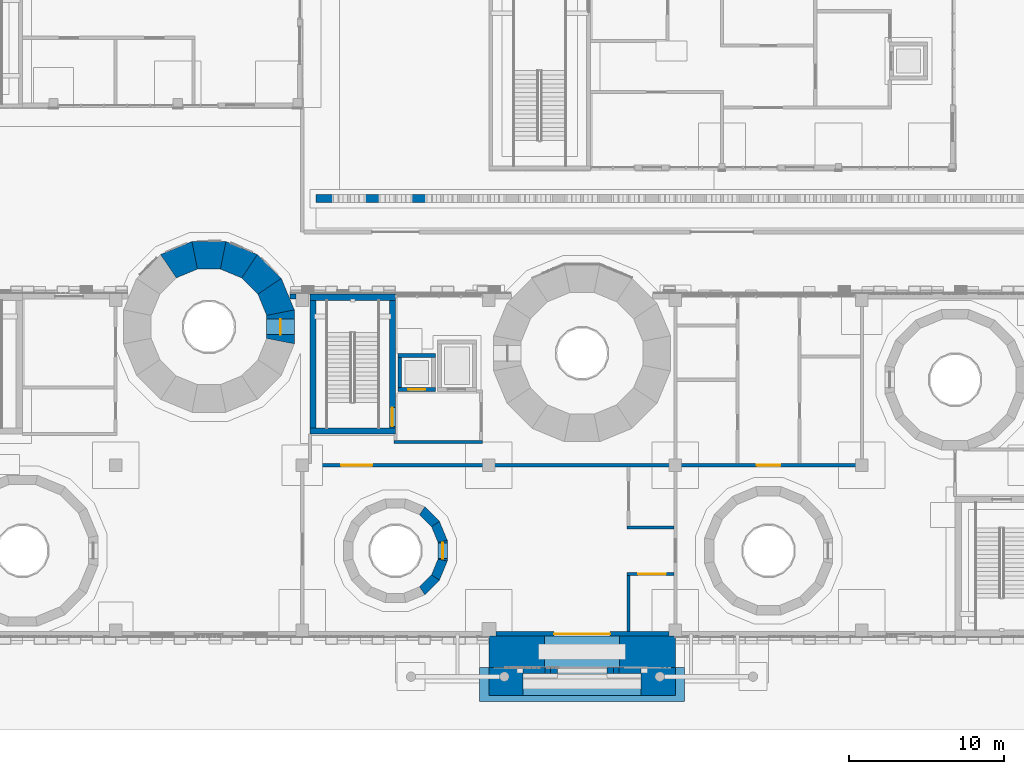
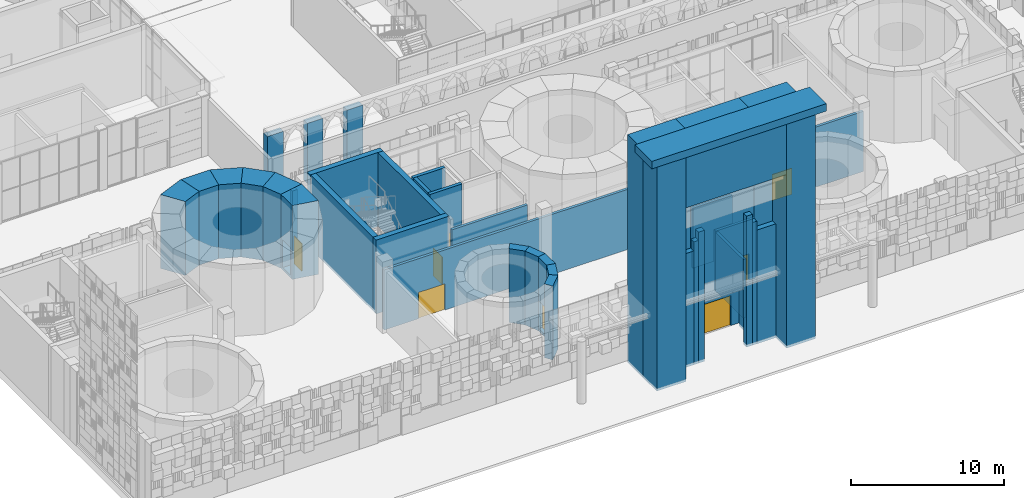
# One storey, part 48 of 125: 41 walls, 8 doors, 8 openings.
"""IFC4 building model written with IfcOpenShell, lengths in metres."""

from ifc_helpers import new_model, si_unit, direction, frame, frame_2d, origin, place, context, subcontext, project, spatial, polyline, rectangle, outline, extrude, material, layer, layer_set, type_object, element, fill, save


model = new_model("IFC4")

# Units and contexts
model_context = context("Model", 3, precision=1e-05, world=origin(), true_north=direction((0.0, 1.0)))
body_context = subcontext(model_context, "Body", "Model", "MODEL_VIEW")
ifc_project = project(units=[si_unit("LENGTHUNIT", "METRE"), si_unit("AREAUNIT", "SQUARE_METRE"), si_unit("VOLUMEUNIT", "CUBIC_METRE"), si_unit("PLANEANGLEUNIT", "RADIAN"), si_unit("MASSUNIT", "GRAM", prefix="KILO")], contexts=[model_context])

# Site, building, storey
site_placement = place(None, origin())
site = spatial("IfcSite", under=ifc_project, at=site_placement, CompositionType="ELEMENT")
building_placement = place(site_placement, origin())
building = spatial("IfcBuilding", under=site, at=building_placement, Name="Sun Court Science Centre", CompositionType="ELEMENT")
storey_placement = place(building_placement, origin())
storey = spatial("IfcBuildingStorey", under=building, at=storey_placement, Name="L00", CompositionType="ELEMENT", Elevation=0.0)

# Walls
ifc_material_1 = material(Name="Concrete C30/37", Category="concrete")
ifc_layer_1 = layer(ifc_material_1, 0.5)
ifc_layer_set_1 = layer_set([ifc_layer_1], Name="Concrete C30/37")
wall_type_1 = type_object("IfcWallType", Name="Arcade pier 500 reinforced", PredefinedType="SOLIDWALL", material=ifc_layer_set_1)
for number, where, z_axis, x_axis, name in (
    (1, (24.89990234375, 34.14990234375, 0.0), (0.0, 0.0, 1.0), (1.0, 0.0, 0.0), "Arcade pier AR1 01"),
    (2, (27.89990234375, 34.14990234375, 0.0), (0.0, 0.0, 1.0), (1.0, 0.0, 0.0), "Arcade pier AR1 02"),
    (3, (30.89990234375, 34.14990234375, 0.0), (0.0, 0.0, 1.0), (1.0, 0.0, 0.0), "Arcade pier AR1 03"),
):
    element("IfcWall", number, at=place(storey_placement, frame(where, z_axis=z_axis, x_axis=x_axis)), inside=storey, type_object=wall_type_1, Name=name, PredefinedType="SOLIDWALL", context=body_context, shape_type="SweptSolid", body=[
        extrude(rectangle(XDim=1.2001953125, YDim=0.5, at=frame_2d((0.60009765625, 0.0))), origin(), (0.0, 0.0, 1.0), 4.800048828125),
    ])

# Wall, opening, door
ifc_material_2 = material(Name="Clay masonry", Category="masonry")
ifc_layer_2 = layer(ifc_material_2, 0.300048828125)
ifc_layer_set_2 = layer_set([ifc_layer_2], Name="Clay masonry")
wall_type_2 = type_object("IfcWallType", Name="Clay masonry infill wall 300", PredefinedType="SOLIDWALL", material=ifc_layer_set_2)
wall_1_placement = place(storey_placement, frame((47.60009765625, 6.14990234375, 0.0), z_axis=(0.0, 0.0, 1.0), x_axis=(-1.0, 0.0, 0.0)))
wall_1 = element("IfcWall", 4, at=wall_1_placement, inside=storey, type_object=wall_type_2, Name="External infill wall L00 south face 03", PredefinedType="SOLIDWALL", context=body_context, shape_type="SweptSolid", body=[
    extrude(rectangle(XDim=11.150146484375, YDim=0.300048828125, at=frame_2d((5.5751953125, 0.0))), origin(), (0.0, 0.0, 1.0), 4.699951171875),
])
opening_1_placement = place(wall_1_placement, frame((3.800048828125, 0.0, 0.0)))
opening_1 = element("IfcOpeningElement", 5, at=opening_1_placement, cuts=wall_1, Name="Opening D-L00-027", PredefinedType="OPENING", context=body_context, shape_type="SweptSolid", body=[
    extrude(rectangle(XDim=3.60009765625, YDim=2.39990234375, at=frame_2d((1.800048828125, 1.199951171875))), frame((0.0, 0.159912109375, 0.0), z_axis=(0.0, -1.0, 0.0), x_axis=(1.0, 0.0, 0.0)), (0.0, 0.0, 1.0), 0.320068359375),
])
ifc_material_3 = material(Name="Aluminium and toughened glass", Category="aluminium")
door_type_1 = type_object("IfcDoorType", Name="Exterior door 3600 x 2400 double entrance", OperationType="DOUBLE_DOOR_SINGLE_SWING", PredefinedType="DOOR", material=ifc_material_3)
door_1_placement = place(opening_1_placement, origin())
door_1 = element("IfcDoor", 6, at=door_1_placement, inside=storey, type_object=door_type_1, Name="Exterior door D-L00-027 to the street forecourt", OperationType="SINGLE_SWING_LEFT", OverallHeight=2.39990234375, OverallWidth=3.60009765625, PredefinedType="DOOR", context=body_context, shape_type="SweptSolid", body=[
    extrude(rectangle(XDim=3.60009765625, YDim=2.39990234375, at=frame_2d((1.800048828125, 1.199951171875))), frame((0.0, 0.02490234375, 0.0), z_axis=(0.0, -1.0, 0.0), x_axis=(1.0, 0.0, 0.0)), (0.0, 0.0, 1.0), 0.050048828125),
])
fill(opening_1, door_1)

# Walls
wall_2_placement = place(storey_placement, frame((23.199462890625, 27.85009765625, 0.0), z_axis=(0.0, 0.0, 1.0), x_axis=(1.0, 0.0, 0.0)))
element("IfcWall", 7, at=wall_2_placement, inside=storey, type_object=wall_type_2, Name="External infill wall L00 north face 03", PredefinedType="SOLIDWALL", context=body_context, shape_type="SweptSolid", body=[
    extrude(rectangle(XDim=0.400634765625, YDim=0.300048828125, at=frame_2d((0.2001953125, 0.0))), origin(), (0.0, 0.0, 1.0), 4.800048828125),
])
ifc_material_4 = material(Name="Concrete C30/37", Category="concrete")
ifc_layer_3 = layer(ifc_material_4, 2.199951171875)
ifc_layer_set_3 = layer_set([ifc_layer_3], Name="Concrete C30/37")
wall_type_3 = type_object("IfcWallType", Name="Iwan cornice 2200", PredefinedType="SOLIDWALL", material=ifc_layer_set_3)
wall_3_placement = place(storey_placement, frame((35.39990234375, 2.89990234375, 18.0), z_axis=(0.0, 0.0, 1.0), x_axis=(1.0, 0.0, 0.0)))
element("IfcWall", 8, at=wall_3_placement, inside=storey, type_object=wall_type_3, Name="Iwan cornice", PredefinedType="SOLIDWALL", context=body_context, shape_type="SweptSolid", body=[
    extrude(rectangle(XDim=13.2001953125, YDim=2.199951171875, at=frame_2d((6.60009765625, 0.0))), origin(), (0.0, 0.0, 1.0), 0.60009765625),
])
ifc_material_5 = material(Name="Concrete C30/37", Category="concrete")
ifc_layer_4 = layer(ifc_material_5, 1.800048828125)
ifc_layer_set_4 = layer_set([ifc_layer_4], Name="Concrete C30/37")
wall_type_4 = type_object("IfcWallType", Name="Iwan header 1800", PredefinedType="SOLIDWALL", material=ifc_layer_set_4)
wall_4_placement = place(storey_placement, frame((38.199951171875, 3.10009765625, 13.66845703125), z_axis=(0.0, 0.0, 1.0), x_axis=(1.0, 0.0, 0.0)))
element("IfcWall", 9, at=wall_4_placement, inside=storey, type_object=wall_type_4, Name="Iwan header band", PredefinedType="SOLIDWALL", context=body_context, shape_type="SweptSolid", body=[
    extrude(rectangle(XDim=7.60009765625, YDim=1.800048828125, at=frame_2d((3.800048828125, 0.0))), origin(), (0.0, 0.0, 1.0), 4.33154296875),
])
ifc_material_6 = material(Name="Concrete C30/37", Category="concrete")
ifc_layer_5 = layer(ifc_material_6, 0.39990234375)
ifc_layer_set_5 = layer_set([ifc_layer_5], Name="Concrete C30/37")
wall_type_5 = type_object("IfcWallType", Name="Iwan jamb 400", PredefinedType="SOLIDWALL", material=ifc_layer_set_5)
wall_5_placement = place(storey_placement, frame((38.199951171875, 3.800048828125, -0.199951171875), z_axis=(0.0, 0.0, 1.0), x_axis=(1.0, 0.0, 0.0)))
element("IfcWall", 10, at=wall_5_placement, inside=storey, type_object=wall_type_5, Name="Iwan jamb west step 1", PredefinedType="SOLIDWALL", context=body_context, shape_type="SweptSolid", body=[
    extrude(rectangle(XDim=1.414306640625, YDim=0.39990234375, at=frame_2d((0.70703125, 0.0))), origin(), (0.0, 0.0, 1.0), 9.084228515625),
])
wall_6_placement = place(storey_placement, frame((39.6142578125, 3.800048828125, -0.199951171875), z_axis=(0.0, 0.0, 1.0), x_axis=(1.0, 0.0, 0.0)))
element("IfcWall", 11, at=wall_6_placement, inside=storey, type_object=wall_type_5, Name="Iwan jamb west step 2", PredefinedType="SOLIDWALL", context=body_context, shape_type="SweptSolid", body=[
    extrude(rectangle(XDim=0.35302734375, YDim=0.39990234375, at=frame_2d((0.176513671875, 0.0))), origin(), (0.0, 0.0, 1.0), 9.800048828125),
])
wall_7_placement = place(storey_placement, frame((39.96728515625, 3.800048828125, -0.199951171875), z_axis=(0.0, 0.0, 1.0), x_axis=(1.0, 0.0, 0.0)))
element("IfcWall", 12, at=wall_7_placement, inside=storey, type_object=wall_type_5, Name="Iwan jamb west step 3", PredefinedType="SOLIDWALL", context=body_context, shape_type="SweptSolid", body=[
    extrude(rectangle(XDim=0.443359375, YDim=0.39990234375, at=frame_2d((0.2216796875, 0.0))), origin(), (0.0, 0.0, 1.0), 10.46337890625),
])
wall_8_placement = place(storey_placement, frame((44.3857421875, 3.800048828125, -0.199951171875), z_axis=(0.0, 0.0, 1.0), x_axis=(1.0, 0.0, 0.0)))
element("IfcWall", 13, at=wall_8_placement, inside=storey, type_object=wall_type_5, Name="Iwan jamb east step 1", PredefinedType="SOLIDWALL", context=body_context, shape_type="SweptSolid", body=[
    extrude(rectangle(XDim=1.414306640625, YDim=0.39990234375, at=frame_2d((0.70703125, 0.0))), origin(), (0.0, 0.0, 1.0), 9.084228515625),
])
wall_9_placement = place(storey_placement, frame((44.03271484375, 3.800048828125, -0.199951171875), z_axis=(0.0, 0.0, 1.0), x_axis=(1.0, 0.0, 0.0)))
element("IfcWall", 14, at=wall_9_placement, inside=storey, type_object=wall_type_5, Name="Iwan jamb east step 2", PredefinedType="SOLIDWALL", context=body_context, shape_type="SweptSolid", body=[
    extrude(rectangle(XDim=0.35302734375, YDim=0.39990234375, at=frame_2d((0.176513671875, 0.0))), origin(), (0.0, 0.0, 1.0), 9.800048828125),
])
wall_10_placement = place(storey_placement, frame((43.58935546875, 3.800048828125, -0.199951171875), z_axis=(0.0, 0.0, 1.0), x_axis=(1.0, 0.0, 0.0)))
element("IfcWall", 15, at=wall_10_placement, inside=storey, type_object=wall_type_5, Name="Iwan jamb east step 3", PredefinedType="SOLIDWALL", context=body_context, shape_type="SweptSolid", body=[
    extrude(rectangle(XDim=0.443359375, YDim=0.39990234375, at=frame_2d((0.2216796875, 0.0))), origin(), (0.0, 0.0, 1.0), 10.46337890625),
])
ifc_material_7 = material(Name="Concrete C30/37", Category="concrete")
ifc_layer_6 = layer(ifc_material_7, 1.800048828125)
ifc_layer_set_6 = layer_set([ifc_layer_6], Name="Concrete C30/37")
wall_type_6 = type_object("IfcWallType", Name="Iwan pier 1800", PredefinedType="SOLIDWALL", material=ifc_layer_set_6)
for number, where, z_axis, x_axis, name in (
    (16, (36.0, 3.10009765625, -0.199951171875), (0.0, 0.0, 1.0), (1.0, 0.0, 0.0), "Iwan pier west"),
    (17, (45.800048828125, 3.10009765625, -0.199951171875), (0.0, 0.0, 1.0), (1.0, 0.0, 0.0), "Iwan pier east"),
):
    element("IfcWall", number, at=place(storey_placement, frame(where, z_axis=z_axis, x_axis=x_axis)), inside=storey, type_object=wall_type_6, Name=name, PredefinedType="SOLIDWALL", context=body_context, shape_type="SweptSolid", body=[
        extrude(rectangle(XDim=2.199951171875, YDim=1.800048828125, at=frame_2d((1.10009765625, 0.0))), origin(), (0.0, 0.0, 1.0), 18.199951171875),
    ])

# Wall, openings, doors
ifc_material_8 = material(Name="Concrete block", Category="concrete")
ifc_layer_7 = layer(ifc_material_8, 0.199951171875)
ifc_layer_set_7 = layer_set([ifc_layer_7], Name="Concrete block")
wall_type_7 = type_object("IfcWallType", Name="Partition 200 block EI60", PredefinedType="PARTITIONING", material=ifc_layer_set_7)
wall_11_placement = place(storey_placement, frame((23.89990234375, 17.0, 0.0), z_axis=(0.0, 0.0, 1.0), x_axis=(1.0, 0.0, 0.0)))
wall_11 = element("IfcWall", 18, at=wall_11_placement, inside=storey, type_object=wall_type_7, Name="L00 partition 003", PredefinedType="PARTITIONING", context=body_context, shape_type="SweptSolid", body=[
    extrude(rectangle(XDim=36.2001953125, YDim=0.199951171875, at=frame_2d((18.10009765625, 0.0))), origin(), (0.0, 0.0, 1.0), 4.800048828125),
])
opening_2_placement = place(wall_11_placement, frame((2.59912109375, 0.0, 0.0)))
opening_2 = element("IfcOpeningElement", 19, at=opening_2_placement, cuts=wall_11, Name="Opening D-L00-018", PredefinedType="OPENING", context=body_context, shape_type="SweptSolid", body=[
    extrude(rectangle(XDim=2.0, YDim=2.10009765625, at=frame_2d((1.0, 1.050048828125))), frame((0.0, 0.10986328125, 0.0), z_axis=(0.0, -1.0, 0.0), x_axis=(1.0, 0.0, 0.0)), (0.0, 0.0, 1.0), 0.219970703125),
])
opening_3_placement = place(wall_11_placement, frame((29.35009765625, 0.0, 0.0)))
opening_3 = element("IfcOpeningElement", 20, at=opening_3_placement, cuts=wall_11, Name="Opening D-L00-020", PredefinedType="OPENING", context=body_context, shape_type="SweptSolid", body=[
    extrude(rectangle(XDim=1.5, YDim=2.10009765625, at=frame_2d((0.75, 1.050048828125))), frame((0.0, 0.10986328125, 0.0), z_axis=(0.0, -1.0, 0.0), x_axis=(1.0, 0.0, 0.0)), (0.0, 0.0, 1.0), 0.219970703125),
])
ifc_material_9 = material(Name="Timber", Category="wood")
door_type_2 = type_object("IfcDoorType", Name="Door 1500x2100 double leaf", OperationType="DOUBLE_DOOR_SINGLE_SWING", PredefinedType="DOOR", material=ifc_material_9)
door_2_placement = place(opening_3_placement, origin())
door_2 = element("IfcDoor", 21, at=door_2_placement, inside=storey, type_object=door_type_2, Name="Door D-L00-020", OperationType="DOUBLE_DOOR_SINGLE_SWING", OverallHeight=2.10009765625, OverallWidth=1.5, PredefinedType="DOOR", context=body_context, shape_type="SweptSolid", body=[
    extrude(rectangle(XDim=1.5, YDim=2.10009765625, at=frame_2d((0.75, 1.050048828125))), frame((0.0, 0.02490234375, 0.0), z_axis=(0.0, -1.0, 0.0), x_axis=(1.0, 0.0, 0.0)), (0.0, 0.0, 1.0), 0.050048828125),
])
fill(opening_3, door_2)
ifc_material_10 = material(Name="Timber", Category="wood")
door_type_3 = type_object("IfcDoorType", Name="Door 2000x2100 double leaf", OperationType="DOUBLE_DOOR_SINGLE_SWING", PredefinedType="DOOR", material=ifc_material_10)
door_3_placement = place(opening_2_placement, origin())
door_3 = element("IfcDoor", 22, at=door_3_placement, inside=storey, type_object=door_type_3, Name="Door D-L00-018", OperationType="DOUBLE_DOOR_SINGLE_SWING", OverallHeight=2.10009765625, OverallWidth=2.0, PredefinedType="DOOR", context=body_context, shape_type="SweptSolid", body=[
    extrude(rectangle(XDim=2.0, YDim=2.10009765625, at=frame_2d((1.0, 1.050048828125))), frame((0.0, 0.02490234375, 0.0), z_axis=(0.0, -1.0, 0.0), x_axis=(1.0, 0.0, 0.0)), (0.0, 0.0, 1.0), 0.050048828125),
])
fill(opening_2, door_3)

# Wall
wall_12_placement = place(storey_placement, frame((29.89990234375, 18.5, 0.0), z_axis=(0.0, 0.0, 1.0), x_axis=(1.0, 0.0, 0.0)))
element("IfcWall", 23, at=wall_12_placement, inside=storey, type_object=wall_type_7, Name="L00 partition 005", PredefinedType="PARTITIONING", context=body_context, shape_type="SweptSolid", body=[
    extrude(rectangle(XDim=5.7001953125, YDim=0.199951171875, at=frame_2d((2.85009765625, 0.0))), origin(), (0.0, 0.0, 1.0), 5.0),
])

# Wall, opening, door
ifc_material_11 = material(Name="Gypsum board")
ifc_layer_8 = layer(ifc_material_11, 0.199951171875)
ifc_layer_set_8 = layer_set([ifc_layer_8], Name="Gypsum board")
wall_type_8 = type_object("IfcWallType", Name="Partition 200 stud EI30", PredefinedType="PARTITIONING", material=ifc_layer_set_8)
wall_13_placement = place(storey_placement, frame((44.89990234375, 10.0, 0.0), z_axis=(0.0, 0.0, 1.0), x_axis=(1.0, 0.0, 0.0)))
wall_13 = element("IfcWall", 24, at=wall_13_placement, inside=storey, type_object=wall_type_8, Name="L00 partition 001", PredefinedType="PARTITIONING", context=body_context, shape_type="SweptSolid", body=[
    extrude(rectangle(XDim=3.0, YDim=0.199951171875, at=frame_2d((1.5, 0.0))), origin(), (0.0, 0.0, 1.0), 4.800048828125),
])
opening_4_placement = place(wall_13_placement, frame((0.699951171875, 0.0, 0.0)))
opening_4 = element("IfcOpeningElement", 25, at=opening_4_placement, cuts=wall_13, Name="Opening D-L00-016", PredefinedType="OPENING", context=body_context, shape_type="SweptSolid", body=[
    extrude(rectangle(XDim=1.800048828125, YDim=2.10009765625, at=frame_2d((0.89990234375, 1.050048828125))), frame((0.0, 0.10986328125, 0.0), z_axis=(0.0, -1.0, 0.0), x_axis=(1.0, 0.0, 0.0)), (0.0, 0.0, 1.0), 0.219970703125),
])
ifc_material_12 = material(Name="Timber", Category="wood")
door_type_4 = type_object("IfcDoorType", Name="Door 1800x2100 double leaf", OperationType="DOUBLE_DOOR_SINGLE_SWING", PredefinedType="DOOR", material=ifc_material_12)
door_4_placement = place(opening_4_placement, origin())
door_4 = element("IfcDoor", 26, at=door_4_placement, inside=storey, type_object=door_type_4, Name="Door D-L00-016", OperationType="DOUBLE_DOOR_SINGLE_SWING", OverallHeight=2.10009765625, OverallWidth=1.800048828125, PredefinedType="DOOR", context=body_context, shape_type="SweptSolid", body=[
    extrude(rectangle(XDim=1.800048828125, YDim=2.10009765625, at=frame_2d((0.89990234375, 1.050048828125))), frame((0.0, 0.02490234375, 0.0), z_axis=(0.0, -1.0, 0.0), x_axis=(1.0, 0.0, 0.0)), (0.0, 0.0, 1.0), 0.050048828125),
])
fill(opening_4, door_4)

# Walls
wall_14_placement = place(storey_placement, frame((44.89990234375, 13.0, 0.0), z_axis=(0.0, 0.0, 1.0), x_axis=(1.0, 0.0, 0.0)))
element("IfcWall", 27, at=wall_14_placement, inside=storey, type_object=wall_type_8, Name="L00 partition 002", PredefinedType="PARTITIONING", context=body_context, shape_type="SweptSolid", body=[
    extrude(rectangle(XDim=3.0, YDim=0.199951171875, at=frame_2d((1.5, 0.0))), origin(), (0.0, 0.0, 1.0), 4.800048828125),
])
wall_15_placement = place(storey_placement, frame((45.0, 6.302001953125, 0.0), z_axis=(0.0, 0.0, 1.0), x_axis=(0.0, 1.0, 0.0)))
element("IfcWall", 28, at=wall_15_placement, inside=storey, type_object=wall_type_8, Name="L00 partition 017", PredefinedType="PARTITIONING", context=body_context, shape_type="SweptSolid", body=[
    extrude(rectangle(XDim=3.597900390625, YDim=0.199951171875, at=frame_2d((1.798828125, 0.0))), origin(), (0.0, 0.0, 1.0), 4.699951171875),
])
ifc_material_13 = material(Name="Concrete C30/37", Category="concrete")
ifc_layer_9 = layer(ifc_material_13, 1.777099609375)
ifc_layer_set_9 = layer_set([ifc_layer_9], Name="Concrete C30/37")
wall_type_9 = type_object("IfcWallType", Name="RC cone ring wall 1777", PredefinedType="SHEAR", material=ifc_layer_set_9)
wall_16_placement = place(storey_placement, frame((22.671630859375, 26.652587890625, -0.199951171875), z_axis=(0.0, 0.0, 1.0), x_axis=(-0.382710353709, 0.923868380866, 0.0)))
element("IfcWall", 29, at=wall_16_placement, inside=storey, type_object=wall_type_9, Name="Cone 2 ring wall L00 segment 1", PredefinedType="SHEAR", context=body_context, shape_type="SweptSolid", body=[
    extrude(outline(polyline([(-0.000244140625, -0.888427734375), (2.18505859375, -0.888427734375), (1.83154296875, 0.888427734375), (0.353271484375, 0.888427734375), (-0.000244140625, -0.888427734375)])), origin(), (0.0, 0.0, 1.0), 5.89990234375),
])
wall_17_placement = place(storey_placement, frame((22.028076171875, 28.383056640625, -0.199951171875), z_axis=(0.0, 0.0, 1.0), x_axis=(-0.707162645834, 0.707050912125, 0.0)))
element("IfcWall", 30, at=wall_17_placement, inside=storey, type_object=wall_type_9, Name="Cone 2 ring wall L00 segment 2", PredefinedType="SHEAR", context=body_context, shape_type="SweptSolid", body=[
    extrude(outline(polyline([(0.0, -0.888427734375), (2.18505859375, -0.888427734375), (1.831787109375, 0.888671875), (0.353515625, 0.888427734375), (0.0, -0.888427734375)])), origin(), (0.0, 0.0, 1.0), 5.89990234375),
])
wall_18_placement = place(storey_placement, frame((20.771240234375, 29.7353515625, -0.199951171875), z_axis=(0.0, 0.0, 1.0), x_axis=(-0.923884744615, 0.382670848991, 0.0)))
element("IfcWall", 31, at=wall_18_placement, inside=storey, type_object=wall_type_9, Name="Cone 2 ring wall L00 segment 3", PredefinedType="SHEAR", context=body_context, shape_type="SweptSolid", body=[
    extrude(outline(polyline([(0.0, -0.888427734375), (2.18505859375, -0.888427734375), (1.831787109375, 0.888427734375), (0.353759765625, 0.888427734375), (0.0, -0.888427734375)])), origin(), (0.0, 0.0, 1.0), 5.89990234375),
])
for number, where, z_axis, x_axis, name in (
    (32, (19.092529296875, 30.50390625, -0.199951171875), (0.0, 0.0, 1.0), (-1.0, 0.0, 0.0), "Cone 2 ring wall L00 segment 4"),
    (33, (17.24755859375, 30.571533203125, -0.199951171875), (0.0, 0.0, 1.0), (-0.923884744615, -0.382670848991, 0.0), "Cone 2 ring wall L00 segment 5"),
):
    element("IfcWall", number, at=place(storey_placement, frame(where, z_axis=z_axis, x_axis=x_axis)), inside=storey, type_object=wall_type_9, Name=name, PredefinedType="SHEAR", context=body_context, shape_type="SweptSolid", body=[
        extrude(outline(polyline([(0.0, -0.888427734375), (2.18505859375, -0.888427734375), (1.83154296875, 0.888427734375), (0.353515625, 0.888427734375), (0.0, -0.888427734375)])), origin(), (0.0, 0.0, 1.0), 5.89990234375),
    ])

# Wall, opening, door
wall_19_placement = place(storey_placement, frame((22.60400390625, 24.807373046875, -0.199951171875), z_axis=(0.0, 0.0, 1.0), x_axis=(0.0, 1.0, 0.0)))
wall_19 = element("IfcWall", 34, at=wall_19_placement, inside=storey, type_object=wall_type_9, Name="Cone 2 ring wall L00 segment 16", PredefinedType="SHEAR", context=body_context, shape_type="SweptSolid", body=[
    extrude(outline(polyline([(0.000244140625, -0.888427734375), (2.18505859375, -0.888427734375), (1.83154296875, 0.888427734375), (0.353515625, 0.888427734375), (0.000244140625, -0.888427734375)])), origin(), (0.0, 0.0, 1.0), 5.89990234375),
])
opening_5_placement = place(wall_19_placement, frame((0.592529296875, 0.0, 0.199951171875)))
opening_5 = element("IfcOpeningElement", 35, at=opening_5_placement, cuts=wall_19, Name="Opening D-L00-022", PredefinedType="OPENING", context=body_context, shape_type="SweptSolid", body=[
    extrude(rectangle(XDim=1.0, YDim=2.199951171875, at=frame_2d((0.5, 1.10009765625))), frame((0.0, 0.8984375, 0.0), z_axis=(0.0, -1.0, 0.0), x_axis=(1.0, 0.0, 0.0)), (0.0, 0.0, 1.0), 1.796875),
])
ifc_material_14 = material(Name="Timber", Category="wood")
door_type_5 = type_object("IfcDoorType", Name="Door 1000x2200 single leaf", OperationType="NOTDEFINED", PredefinedType="DOOR", material=ifc_material_14)
door_5_placement = place(opening_5_placement, origin())
door_5 = element("IfcDoor", 36, at=door_5_placement, inside=storey, type_object=door_type_5, Name="Door D-L00-022", OperationType="SINGLE_SWING_RIGHT", OverallHeight=2.199951171875, OverallWidth=1.0, PredefinedType="DOOR", context=body_context, shape_type="SweptSolid", body=[
    extrude(rectangle(XDim=1.0, YDim=2.199951171875, at=frame_2d((0.5, 1.10009765625))), frame((0.0, 0.02490234375, 0.0), z_axis=(0.0, -1.0, 0.0), x_axis=(1.0, 0.0, 0.0)), (0.0, 0.0, 1.0), 0.050048828125),
])
fill(opening_5, door_5)

# Walls
ifc_material_15 = material(Name="Concrete C30/37", Category="concrete")
ifc_layer_10 = layer(ifc_material_15, 0.60009765625)
ifc_layer_set_10 = layer_set([ifc_layer_10], Name="Concrete C30/37")
wall_type_10 = type_object("IfcWallType", Name="RC cone ring wall 600", PredefinedType="SHEAR", material=ifc_layer_set_10)
wall_20_placement = place(storey_placement, frame((33.0576171875, 12.048583984375, -0.199951171875), z_axis=(0.0, 0.0, 1.0), x_axis=(-0.382785205205, 0.923837370253, 0.0)))
element("IfcWall", 37, at=wall_20_placement, inside=storey, type_object=wall_type_10, Name="Cone 3 ring wall L00 segment 1", PredefinedType="SHEAR", context=body_context, shape_type="SweptSolid", body=[
    extrude(outline(polyline([(0.0, -0.2998046875), (1.32666015625, -0.2998046875), (1.207275390625, 0.300048828125), (0.119384765625, 0.30029296875), (0.0, -0.2998046875)])), origin(), (0.0, 0.0, 1.0), 5.89990234375),
])
for number, where, z_axis, x_axis, name in (
    (38, (32.61474609375, 13.1767578125, -0.199951171875), (0.0, 0.0, 1.0), (-0.707106781187, 0.707106781187, 0.0), "Cone 3 ring wall L00 segment 2"),
    (39, (31.6767578125, 8.88525390625, -0.199951171875), (0.0, 0.0, 1.0), (0.707106781187, 0.707106781187, 0.0), "Cone 3 ring wall L00 segment 14"),
):
    element("IfcWall", number, at=place(storey_placement, frame(where, z_axis=z_axis, x_axis=x_axis)), inside=storey, type_object=wall_type_10, Name=name, PredefinedType="SHEAR", context=body_context, shape_type="SweptSolid", body=[
        extrude(outline(polyline([(0.0, -0.300048828125), (1.326416015625, -0.300048828125), (1.207275390625, 0.2998046875), (0.119384765625, 0.2998046875), (0.0, -0.300048828125)])), origin(), (0.0, 0.0, 1.0), 5.89990234375),
    ])
wall_21_placement = place(storey_placement, frame((32.5498046875, 9.725830078125, -0.199951171875), z_axis=(0.0, 0.0, 1.0), x_axis=(0.382785205205, 0.923837370253, 0.0)))
element("IfcWall", 40, at=wall_21_placement, inside=storey, type_object=wall_type_10, Name="Cone 3 ring wall L00 segment 15", PredefinedType="SHEAR", context=body_context, shape_type="SweptSolid", body=[
    extrude(outline(polyline([(0.0, -0.2998046875), (1.32666015625, -0.2998046875), (1.207275390625, 0.30029296875), (0.119384765625, 0.300048828125), (0.0, -0.2998046875)])), origin(), (0.0, 0.0, 1.0), 5.89990234375),
])

# Wall, opening, door
wall_22_placement = place(storey_placement, frame((33.03466796875, 10.836669921875, -0.199951171875), z_axis=(0.0, 0.0, 1.0), x_axis=(0.0, 1.0, 0.0)))
wall_22 = element("IfcWall", 41, at=wall_22_placement, inside=storey, type_object=wall_type_10, Name="Cone 3 ring wall L00 segment 16", PredefinedType="SHEAR", context=body_context, shape_type="SweptSolid", body=[
    extrude(outline(polyline([(0.0, -0.300048828125), (1.32666015625, -0.300048828125), (1.207275390625, 0.300048828125), (0.119384765625, 0.300048828125), (0.0, -0.300048828125)])), origin(), (0.0, 0.0, 1.0), 5.89990234375),
])
opening_6_placement = place(wall_22_placement, frame((0.163330078125, 0.0, 0.199951171875)))
opening_6 = element("IfcOpeningElement", 42, at=opening_6_placement, cuts=wall_22, Name="Opening D-L00-023", PredefinedType="OPENING", context=body_context, shape_type="SweptSolid", body=[
    extrude(rectangle(XDim=1.0, YDim=2.199951171875, at=frame_2d((0.5, 1.10009765625))), frame((0.0, 0.31005859375, 0.0), z_axis=(0.0, -1.0, 0.0), x_axis=(1.0, 0.0, 0.0)), (0.0, 0.0, 1.0), 0.6201171875),
])
door_6_placement = place(opening_6_placement, origin())
door_6 = element("IfcDoor", 43, at=door_6_placement, inside=storey, type_object=door_type_5, Name="Door D-L00-023", OperationType="SINGLE_SWING_LEFT", OverallHeight=2.199951171875, OverallWidth=1.0, PredefinedType="DOOR", context=body_context, shape_type="SweptSolid", body=[
    extrude(rectangle(XDim=1.0, YDim=2.199951171875, at=frame_2d((0.5, 1.10009765625))), frame((0.0, 0.02490234375, 0.0), z_axis=(0.0, -1.0, 0.0), x_axis=(1.0, 0.0, 0.0)), (0.0, 0.0, 1.0), 0.050048828125),
])
fill(opening_6, door_6)

# Walls
ifc_material_16 = material(Name="Concrete C30/37", Category="concrete")
ifc_layer_11 = layer(ifc_material_16, 2.0)
ifc_layer_set_11 = layer_set([ifc_layer_11], Name="Concrete C30/37")
wall_type_11 = type_object("IfcWallType", Name="RC portal header wall 2000", PredefinedType="SOLIDWALL", material=ifc_layer_set_11)
wall_23_placement = place(storey_placement, frame((39.60009765625, 5.0, 4.199951171875), z_axis=(0.0, 0.0, 1.0), x_axis=(1.0, 0.0, 0.0)))
element("IfcWall", 44, at=wall_23_placement, inside=storey, type_object=wall_type_11, Name="Portal header H", PredefinedType="SOLIDWALL", context=body_context, shape_type="SweptSolid", body=[
    extrude(rectangle(XDim=4.7998046875, YDim=2.0, at=frame_2d((2.39990234375, 0.0))), origin(), (0.0, 0.0, 1.0), 13.800048828125),
])
ifc_material_17 = material(Name="Concrete C30/37", Category="concrete")
ifc_layer_12 = layer(ifc_material_17, 2.0)
ifc_layer_set_12 = layer_set([ifc_layer_12], Name="Concrete C30/37")
wall_type_12 = type_object("IfcWallType", Name="RC portal wall exterior 2000", PredefinedType="SOLIDWALL", material=ifc_layer_set_12)
for number, where, z_axis, x_axis, name in (
    (45, (36.0, 5.0, -0.199951171875), (0.0, 0.0, 1.0), (1.0, 0.0, 0.0), "Portal pier L"),
    (46, (44.39990234375, 5.0, -0.199951171875), (0.0, 0.0, 1.0), (1.0, 0.0, 0.0), "Portal pier R"),
):
    element("IfcWall", number, at=place(storey_placement, frame(where, z_axis=z_axis, x_axis=x_axis)), inside=storey, type_object=wall_type_12, Name=name, PredefinedType="SOLIDWALL", context=body_context, shape_type="SweptSolid", body=[
        extrude(rectangle(XDim=3.60009765625, YDim=2.0, at=frame_2d((1.800048828125, 0.0))), origin(), (0.0, 0.0, 1.0), 18.199951171875),
    ])

# Wall, opening, door
ifc_material_18 = material(Name="Concrete C30/37", Category="concrete")
ifc_layer_13 = layer(ifc_material_18, 0.25)
ifc_layer_set_13 = layer_set([ifc_layer_13], Name="Concrete C30/37")
wall_type_13 = type_object("IfcWallType", Name="RC shaft wall 250", PredefinedType="SHEAR", material=ifc_layer_set_13)
wall_24_placement = place(storey_placement, frame((30.1474609375, 21.87255859375, -1.39990234375), z_axis=(0.0, 0.0, 1.0), x_axis=(1.0, 0.0, 0.0)))
wall_24 = element("IfcWall", 47, at=wall_24_placement, inside=storey, type_object=wall_type_13, Name="Lift core LB1 wall S, L00", PredefinedType="SHEAR", context=body_context, shape_type="SweptSolid", body=[
    extrude(rectangle(XDim=2.425048828125, YDim=0.25, at=frame_2d((1.21240234375, 0.0))), origin(), (0.0, 0.0, 1.0), 7.099853515625),
])
opening_7_placement = place(wall_24_placement, frame((0.66259765625, 0.0, 1.39990234375)))
opening_7 = element("IfcOpeningElement", 48, at=opening_7_placement, cuts=wall_24, Name="Opening D-L00-009", PredefinedType="OPENING", context=body_context, shape_type="SweptSolid", body=[
    extrude(rectangle(XDim=1.10009765625, YDim=2.10009765625, at=frame_2d((0.550048828125, 1.050048828125))), frame((0.0, 0.135009765625, 0.0), z_axis=(0.0, -1.0, 0.0), x_axis=(1.0, 0.0, 0.0)), (0.0, 0.0, 1.0), 0.27001953125),
])
ifc_material_19 = material(Name="Steel", Category="steel")
door_type_6 = type_object("IfcDoorType", Name="Lift landing door 1100x2100 sliding", OperationType="DOUBLE_DOOR_SLIDING", PredefinedType="DOOR", material=ifc_material_19)
door_7_placement = place(opening_7_placement, origin())
door_7 = element("IfcDoor", 49, at=door_7_placement, inside=storey, type_object=door_type_6, Name="Lift landing door D-L00-009", OperationType="DOUBLE_DOOR_SLIDING", OverallHeight=2.10009765625, OverallWidth=1.10009765625, PredefinedType="DOOR", context=body_context, shape_type="SweptSolid", body=[
    extrude(rectangle(XDim=1.10009765625, YDim=2.10009765625, at=frame_2d((0.550048828125, 1.050048828125))), frame((0.0, 0.02490234375, 0.0), z_axis=(0.0, -1.0, 0.0), x_axis=(1.0, 0.0, 0.0)), (0.0, 0.0, 1.0), 0.050048828125),
])
fill(opening_7, door_7)

# Walls
wall_25_placement = place(storey_placement, frame((30.1474609375, 24.047607421875, -1.39990234375), z_axis=(0.0, 0.0, 1.0), x_axis=(1.0, 0.0, 0.0)))
element("IfcWall", 50, at=wall_25_placement, inside=storey, type_object=wall_type_13, Name="Lift core LB1 wall N, L00", PredefinedType="SHEAR", context=body_context, shape_type="SweptSolid", body=[
    extrude(rectangle(XDim=2.425048828125, YDim=0.25, at=frame_2d((1.21240234375, 0.0))), origin(), (0.0, 0.0, 1.0), 7.099853515625),
])
wall_26_placement = place(storey_placement, frame((30.2724609375, 21.99755859375, -1.39990234375), z_axis=(0.0, 0.0, 1.0), x_axis=(0.0, 1.0, 0.0)))
element("IfcWall", 51, at=wall_26_placement, inside=storey, type_object=wall_type_13, Name="Lift core LB1 wall W, L00", PredefinedType="SHEAR", context=body_context, shape_type="SweptSolid", body=[
    extrude(rectangle(XDim=1.925048828125, YDim=0.25, at=frame_2d((0.96240234375, 0.0))), origin(), (0.0, 0.0, 1.0), 7.099853515625),
])
ifc_material_20 = material(Name="Concrete C30/37", Category="concrete")
ifc_layer_14 = layer(ifc_material_20, 0.39990234375)
ifc_layer_set_14 = layer_set([ifc_layer_14], Name="Concrete C30/37")
wall_type_14 = type_object("IfcWallType", Name="RC stair core wall 400", PredefinedType="SHEAR", material=ifc_layer_set_14)
wall_27_placement = place(storey_placement, frame((24.5, 19.199951171875, -0.199951171875), z_axis=(0.0, 0.0, 1.0), x_axis=(1.0, 0.0, 0.0)))
element("IfcWall", 52, at=wall_27_placement, inside=storey, type_object=wall_type_14, Name="Stair core SB2 wall S, L00", PredefinedType="SHEAR", context=body_context, shape_type="SweptSolid", body=[
    extrude(rectangle(XDim=5.5, YDim=0.39990234375, at=frame_2d((2.75, 0.0))), origin(), (0.0, 0.0, 1.0), 5.89990234375),
])

# Wall, opening, door
wall_28_placement = place(storey_placement, frame((29.800048828125, 19.39990234375, -0.199951171875), z_axis=(0.0, 0.0, 1.0), x_axis=(0.0, 1.0, 0.0)))
wall_28 = element("IfcWall", 53, at=wall_28_placement, inside=storey, type_object=wall_type_14, Name="Stair core SB2 wall E, L00", PredefinedType="SHEAR", context=body_context, shape_type="SweptSolid", body=[
    extrude(rectangle(XDim=8.2001953125, YDim=0.39990234375, at=frame_2d((4.10009765625, 0.0))), origin(), (0.0, 0.0, 1.0), 5.89990234375),
])
opening_8_placement = place(wall_28_placement, frame((0.10009765625, 0.0, 0.199951171875)))
opening_8 = element("IfcOpeningElement", 54, at=opening_8_placement, cuts=wall_28, Name="Opening D-L00-007", PredefinedType="OPENING", context=body_context, shape_type="SweptSolid", body=[
    extrude(rectangle(XDim=1.199951171875, YDim=2.199951171875, at=frame_2d((0.60009765625, 1.10009765625))), frame((0.0, 0.2099609375, 0.0), z_axis=(0.0, -1.0, 0.0), x_axis=(1.0, 0.0, 0.0)), (0.0, 0.0, 1.0), 0.419921875),
])
ifc_material_21 = material(Name="Steel", Category="steel")
door_type_7 = type_object("IfcDoorType", Name="Door 1200x2200 single leaf FD60", OperationType="NOTDEFINED", PredefinedType="DOOR", material=ifc_material_21)
door_8_placement = place(opening_8_placement, origin())
door_8 = element("IfcDoor", 55, at=door_8_placement, inside=storey, type_object=door_type_7, Name="Door D-L00-007", OperationType="SINGLE_SWING_RIGHT", OverallHeight=2.199951171875, OverallWidth=1.199951171875, PredefinedType="DOOR", context=body_context, shape_type="SweptSolid", body=[
    extrude(rectangle(XDim=1.199951171875, YDim=2.199951171875, at=frame_2d((0.60009765625, 1.10009765625))), frame((0.0, 0.02490234375, 0.0), z_axis=(0.0, -1.0, 0.0), x_axis=(1.0, 0.0, 0.0)), (0.0, 0.0, 1.0), 0.050048828125),
])
fill(opening_8, door_8)

# Walls
wall_29_placement = place(storey_placement, frame((24.5, 27.800048828125, -0.199951171875), z_axis=(0.0, 0.0, 1.0), x_axis=(1.0, 0.0, 0.0)))
element("IfcWall", 56, at=wall_29_placement, inside=storey, type_object=wall_type_14, Name="Stair core SB2 wall N, L00", PredefinedType="SHEAR", context=body_context, shape_type="SweptSolid", body=[
    extrude(rectangle(XDim=5.5, YDim=0.39990234375, at=frame_2d((2.75, 0.0))), origin(), (0.0, 0.0, 1.0), 5.89990234375),
])
wall_30_placement = place(storey_placement, frame((24.699951171875, 19.39990234375, -0.199951171875), z_axis=(0.0, 0.0, 1.0), x_axis=(0.0, 1.0, 0.0)))
element("IfcWall", 57, at=wall_30_placement, inside=storey, type_object=wall_type_14, Name="Stair core SB2 wall W, L00", PredefinedType="SHEAR", context=body_context, shape_type="SweptSolid", body=[
    extrude(rectangle(XDim=8.2001953125, YDim=0.39990234375, at=frame_2d((4.10009765625, 0.0))), origin(), (0.0, 0.0, 1.0), 5.89990234375),
])

save(model, "model.ifc")
